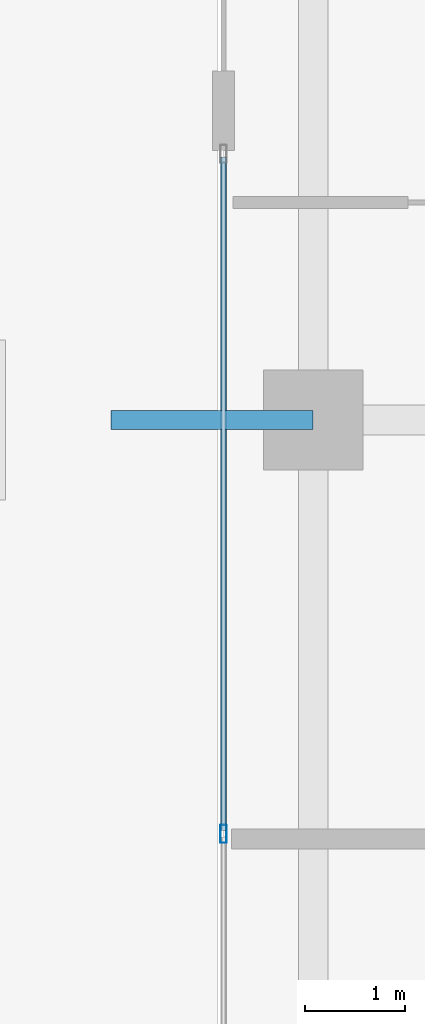
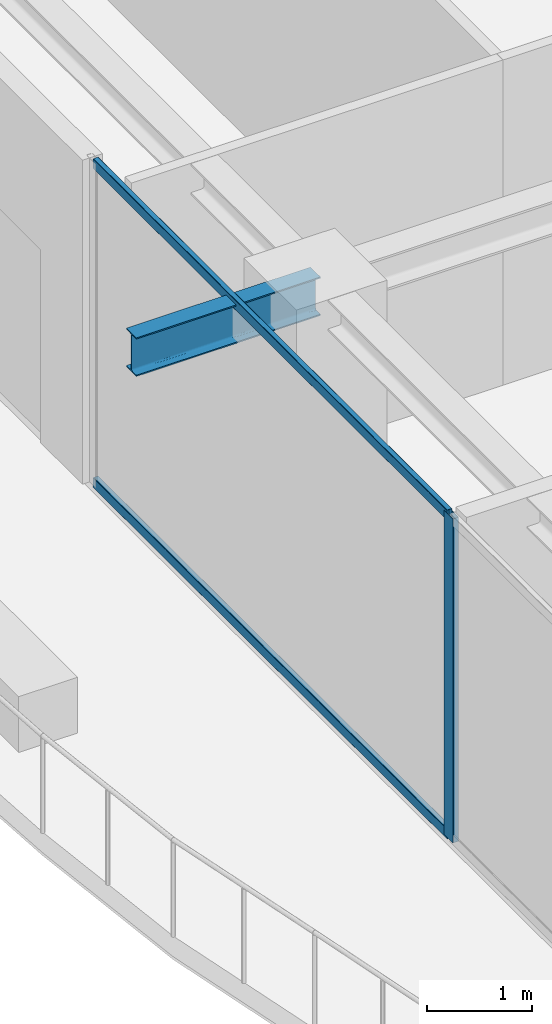
# One storey, part 7 of 38: 3 members, 1 beam, 1 element without a shape of its own.
"""IFC4 building model written with IfcOpenShell, lengths in metres."""

from ifc_helpers import new_model, si_unit, direction, frame, origin, origin_2d, place, context, subcontext, project, spatial, hollow_rectangle, i_section, extrude, source, transform, mapped, material, layer, layer_set, material_profile, profile_set, type_object, element, aggregate, save


model = new_model("IFC4")

# Units and contexts
model_context = context("Model", 3, precision=1e-05, world=origin(), true_north=direction((0.0, 1.0)))
body_context = subcontext(model_context, "Body", "Model", "MODEL_VIEW")
ifc_project = project(units=[si_unit("LENGTHUNIT", "METRE"), si_unit("AREAUNIT", "SQUARE_METRE"), si_unit("VOLUMEUNIT", "CUBIC_METRE"), si_unit("PLANEANGLEUNIT", "RADIAN"), si_unit("MASSUNIT", "GRAM", prefix="KILO")], contexts=[model_context])

# Site, building, storey
site_placement = place(None, origin())
site = spatial("IfcSite", under=ifc_project, at=site_placement, CompositionType="ELEMENT")
building_placement = place(site_placement, origin())
building = spatial("IfcBuilding", under=site, at=building_placement, Name="Serunith Strait Residences", CompositionType="ELEMENT")
storey_placement = place(building_placement, frame((0.0, 0.0, 321.800048828125)))
storey = spatial("IfcBuildingStorey", under=building, at=storey_placement, Name="L80", CompositionType="ELEMENT", Elevation=321.800048828125)

# Beam
ifc_material_1 = material(Name="Steel S355J2", Category="steel")
ifc_material_profile_1 = material_profile(ifc_material_1, i_section(OverallWidth=0.18994140625, OverallDepth=0.449951171875, WebThickness=0.009521484375, FlangeThickness=0.0146484375, FilletRadius=0.02099609375, at=origin_2d()), Name="IPE 450")
ifc_profile_set_1 = profile_set([ifc_material_profile_1], Name="Steel S355J2")
beam_type = type_object("IfcBeamType", Name="BM-IPE450", PredefinedType="JOIST", material=ifc_profile_set_1)
shared_shape_1 = source(origin(), body_context, "Body", "SweptSolid", [
    extrude(i_section(OverallWidth=0.18994140625, OverallDepth=0.449951171875, WebThickness=0.009521484375, FlangeThickness=0.0146484375, FilletRadius=0.02099609375, at=origin_2d()), origin(), (0.0, 0.0, 1.0), 2.030029296875),
])
beam_placement = place(storey_placement, frame((10.10009765625, 21.0, 3.531982421875), z_axis=(-1.0, 0.0, 0.0), x_axis=(0.0, -1.0, 0.0)))
element("IfcBeam", 1, at=beam_placement, inside=storey, type_object=beam_type, Name="L81 Cantilevered Balcony Rib TC-W2", PredefinedType="JOIST", context=body_context, shape_type="MappedRepresentation", body=[
    mapped(shared_shape_1, transform((0.0, 0.0, 0.0), scale=1.0)),
])

# Curtain wall, members
ifc_material_2 = material(Name="Brushed Stainless-Silver Aluminium", Category="aluminium")
ifc_layer = layer(ifc_material_2, 0.199951171875, Name="Brushed Stainless-Silver Aluminium")
ifc_layer_set = layer_set([ifc_layer], Name="Brushed Stainless-Silver Aluminium")
curtain_wall_type = type_object("IfcCurtainWallType", Name="CW-SYS5", PredefinedType="NOTDEFINED", material=ifc_layer_set)
curtain_wall_placement = place(storey_placement, origin())
curtain_wall = element("IfcCurtainWall", 2, at=curtain_wall_placement, inside=storey, type_object=curtain_wall_type, Name="L80 W Unitised Fritted Curtain Wall", PredefinedType="NOTDEFINED")
ifc_material_profile_2 = material_profile(ifc_material_2, hollow_rectangle(XDim=0.06005859375, YDim=0.1201171875, WallThickness=0.00341796875, InnerFilletRadius=0.00537109375, OuterFilletRadius=0.0087890625, at=origin_2d()), Name="ALU 120x60x3.5")
ifc_profile_set_2 = profile_set([ifc_material_profile_2], Name="Brushed Stainless-Silver Aluminium")
member_type_1 = type_object("IfcMemberType", Name="CW-SYS5-TRAN", PredefinedType="USERDEFINED", material=ifc_profile_set_2)
shared_shape_2 = source(origin(), body_context, "Body", "SweptSolid", [
    extrude(hollow_rectangle(XDim=0.06005859375, YDim=0.1201171875, WallThickness=0.00341796875, InnerFilletRadius=0.00537109375, OuterFilletRadius=0.0087890625, at=origin_2d()), origin(), (0.0, 0.0, 1.0), 6.75244140625),
])
member_1_placement = place(storey_placement, frame((9.199951171875, 23.635009765625, 0.030029296875), z_axis=(0.0, -1.0, 0.0), x_axis=(1.0, 0.0, 0.0)))
member_1 = element("IfcMember", 3, at=member_1_placement, type_object=member_type_1, Name="CW-5 transom 1.1", ObjectType="TRANSOM", PredefinedType="USERDEFINED", context=body_context, shape_type="MappedRepresentation", body=[
    mapped(shared_shape_2, transform((0.0, 0.0, 0.0), scale=1.0)),
])
member_2_placement = place(storey_placement, frame((9.199951171875, 23.635009765625, 3.744873046875), z_axis=(0.0, -1.0, 0.0), x_axis=(1.0, 0.0, 0.0)))
member_2 = element("IfcMember", 4, at=member_2_placement, type_object=member_type_1, Name="CW-5 transom 1.2", ObjectType="TRANSOM", PredefinedType="USERDEFINED", context=body_context, shape_type="MappedRepresentation", body=[
    mapped(shared_shape_2, transform((0.0, 0.0, 0.0), scale=1.0)),
])
ifc_material_profile_3 = material_profile(ifc_material_2, hollow_rectangle(XDim=0.06494140625, YDim=0.179931640625, WallThickness=0.00341796875, InnerFilletRadius=0.00537109375, OuterFilletRadius=0.0087890625, at=origin_2d()), Name="ALU 180x65x3.5")
ifc_profile_set_3 = profile_set([ifc_material_profile_3], Name="Brushed Stainless-Silver Aluminium")
member_type_2 = type_object("IfcMemberType", Name="CW-SYS5-MULL", PredefinedType="MULLION", material=ifc_profile_set_3)
shared_shape_3 = source(origin(), body_context, "Body", "SweptSolid", [
    extrude(hollow_rectangle(XDim=0.06494140625, YDim=0.179931640625, WallThickness=0.00341796875, InnerFilletRadius=0.00537109375, OuterFilletRadius=0.0087890625, at=origin_2d()), origin(), (0.0, 0.0, 1.0), 3.77490234375),
])
member_3_placement = place(storey_placement, frame((9.199951171875, 16.85009765625, 0.0), z_axis=(0.0, 0.0, 1.0), x_axis=(1.0, 0.0, 0.0)))
member_3 = element("IfcMember", 5, at=member_3_placement, type_object=member_type_2, Name="CW-5 mullion 2", PredefinedType="MULLION", context=body_context, shape_type="MappedRepresentation", body=[
    mapped(shared_shape_3, transform((0.0, 0.0, 0.0), scale=1.0)),
])
aggregate(curtain_wall, [member_3, member_1, member_2])

save(model, "model.ifc")
